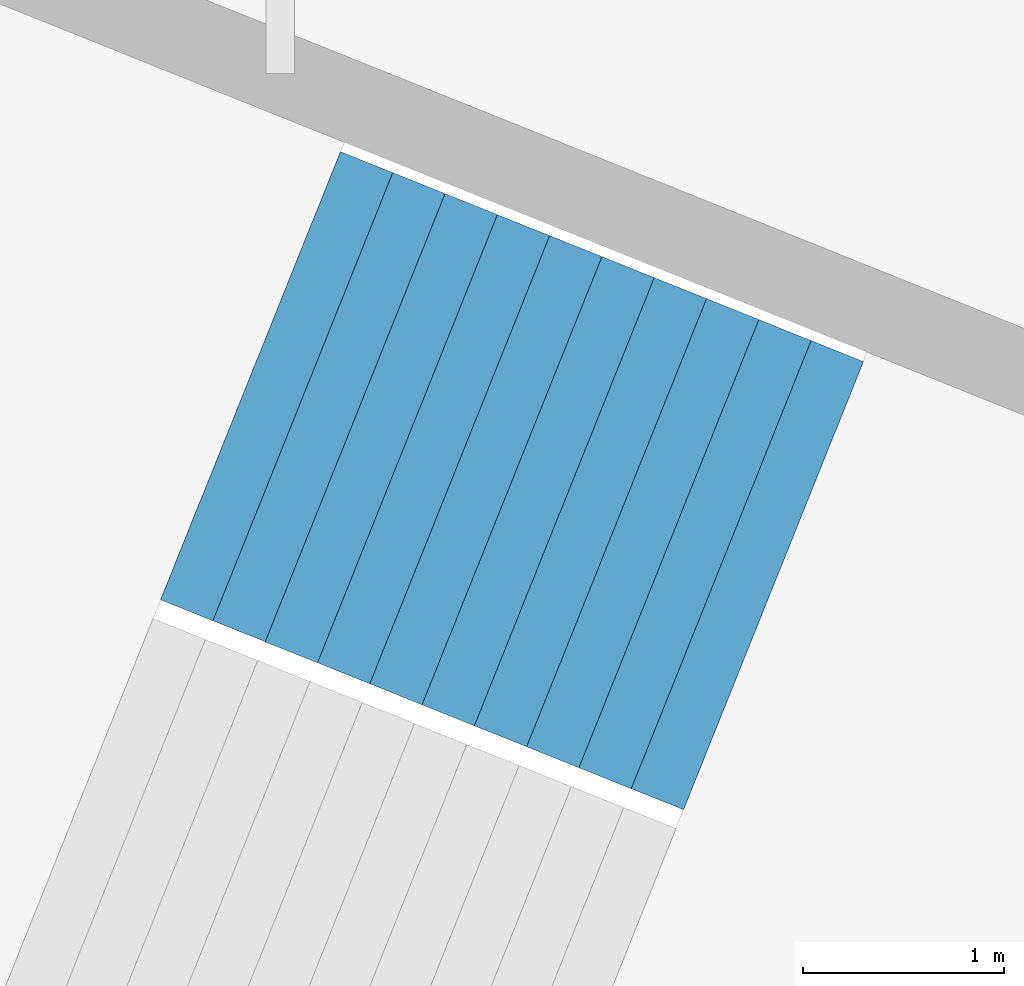
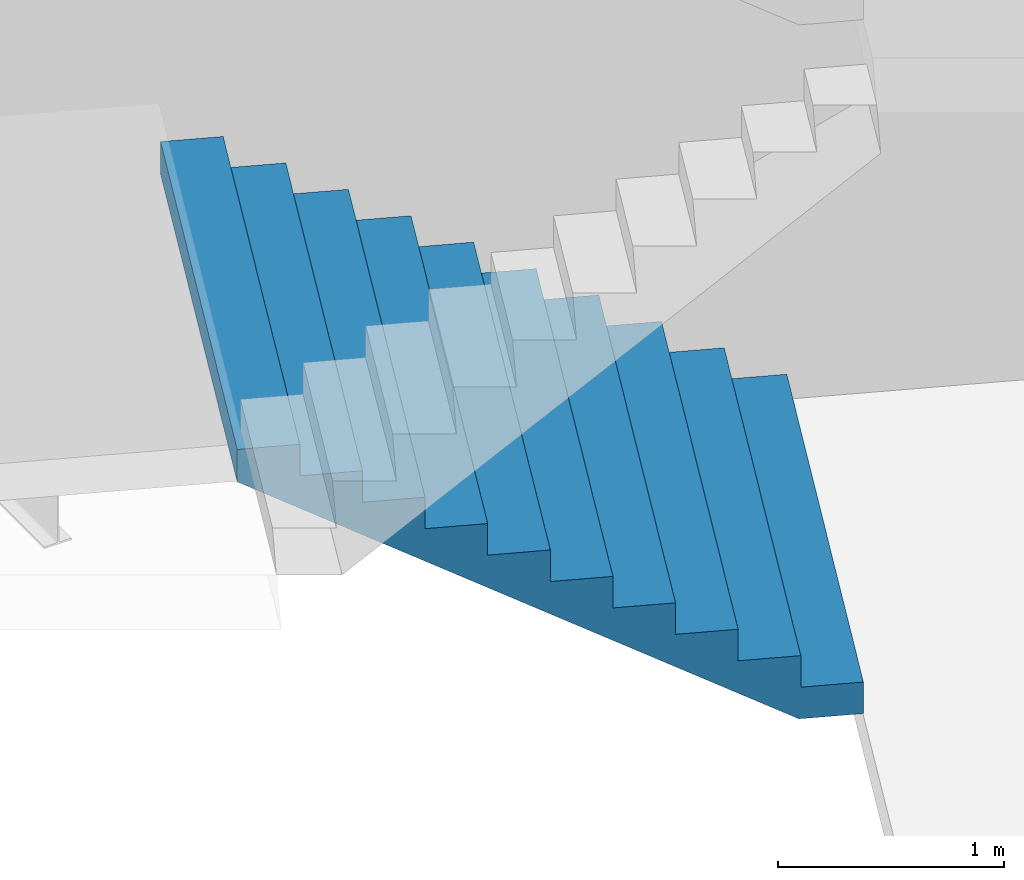
# One storey, part 35 of 73: 1 stair flight, 1 element without a shape of its own.
"""IFC4 building model written with IfcOpenShell, lengths in metres."""

from ifc_helpers import new_model, si_unit, direction, frame, origin, place, context, subcontext, project, spatial, triangles, material, type_object, element, aggregate, save


model = new_model("IFC4")

# Units and contexts
model_context = context("Model", 3, precision=1e-05, world=origin(), true_north=direction((0.0, 1.0)))
body_context = subcontext(model_context, "Body", "Model", "MODEL_VIEW")
ifc_project = project(units=[si_unit("LENGTHUNIT", "METRE"), si_unit("AREAUNIT", "SQUARE_METRE"), si_unit("VOLUMEUNIT", "CUBIC_METRE"), si_unit("PLANEANGLEUNIT", "RADIAN"), si_unit("MASSUNIT", "GRAM", prefix="KILO")], contexts=[model_context])

# Site, building, storey
site_placement = place(None, origin())
site = spatial("IfcSite", under=ifc_project, at=site_placement, CompositionType="ELEMENT")
building_placement = place(site_placement, origin())
building = spatial("IfcBuilding", under=site, at=building_placement, Name="Lantaw Convention Tower", CompositionType="ELEMENT")
storey_placement = place(building_placement, frame((0.0, 0.0, 14.5)))
storey = spatial("IfcBuildingStorey", under=building, at=storey_placement, Name="L02", CompositionType="ELEMENT", Elevation=14.5)

# Stair, stair flight
ifc_material = material(Name="Concrete C35/45", Category="concrete")
stair_type = type_object("IfcStairType", Name="Exit stair 2400 riser 170.45 in 4 flights", PredefinedType="HALF_TURN_STAIR", material=ifc_material)
stair_placement = place(storey_placement, origin())
stair = element("IfcStair", 1, at=stair_placement, inside=storey, type_object=stair_type, Name="Podium exit stair P8 L02", PredefinedType="HALF_TURN_STAIR")
stair_flight_type = type_object("IfcStairFlightType", Name="Stair flight 2400 riser 170.45", PredefinedType="STRAIGHT", material=ifc_material)
stair_flight_placement = place(storey_placement, frame((-35.799560546875, 15.71826171875, 0.0), z_axis=(0.0, 0.0, 1.0), x_axis=(-0.928015168305, 0.372542410198, 0.0)))
stair_flight = element("IfcStairFlight", 2, at=stair_flight_placement, type_object=stair_flight_type, Name="P8 flight 1", NumberOfRisers=11, NumberOfTreads=10, PredefinedType="STRAIGHT", RiserHeight=0.170454545, TreadLength=0.28, context=body_context, shape_type="Tessellation", body=[
    triangles([(0.0, 1.199951171875, 0.0), (0.0, 1.199951171875, 0.170454545), (0.28, 1.199951171875, 0.0), (0.28, 1.199951171875, 0.170454545), (0.28, 1.199951171875, 0.34090909), (0.28827876332691904, 1.199951171875, 0.0), (0.28827876332691904, 1.199951171875, 0.34090909), (0.56, 1.199951171875, 0.16541471344266906), (0.56, 1.199951171875, 0.34090909), (0.56, 1.199951171875, 0.511363635), (0.8400000000000001, 1.199951171875, 0.335869258442669), (0.8400000000000001, 1.199951171875, 0.511363635), (0.8400000000000001, 1.199951171875, 0.68181818), (1.12, 1.199951171875, 0.506323803442669), (1.12, 1.199951171875, 0.68181818), (1.12, 1.199951171875, 0.8522727250000001), (1.4000000000000001, 1.199951171875, 0.676778348442669), (1.4000000000000001, 1.199951171875, 0.8522727250000001), (1.4000000000000001, 1.199951171875, 1.02272727), (1.6800000000000002, 1.199951171875, 0.847232893442669), (1.6800000000000002, 1.199951171875, 1.02272727), (1.6800000000000002, 1.199951171875, 1.193181815), (1.9600000000000002, 1.199951171875, 1.017687438442669), (1.9600000000000002, 1.199951171875, 1.193181815), (1.9600000000000002, 1.199951171875, 1.36363636), (2.24, 1.199951171875, 1.188141983442669), (2.24, 1.199951171875, 1.36363636), (2.24, 1.199951171875, 1.5340909050000002), (2.5200000000000005, 1.199951171875, 1.358596528442669), (2.5200000000000005, 1.199951171875, 1.5340909050000002), (2.5200000000000005, 1.199951171875, 1.7045454500000001), (2.8000000000000003, 1.199951171875, 1.529051073442669), (2.8000000000000003, 1.199951171875, 1.7045454500000001), (0.0, -1.199951171875, 0.0), (0.0, -1.199951171875, 0.170454545), (0.28, -1.199951171875, 0.0), (0.28, -1.199951171875, 0.170454545), (0.28, -1.199951171875, 0.34090909), (0.28827876332691904, -1.199951171875, 0.0), (0.28827876332691904, -1.199951171875, 0.34090909), (0.56, -1.199951171875, 0.16541471344266906), (0.56, -1.199951171875, 0.34090909), (0.56, -1.199951171875, 0.511363635), (0.8400000000000001, -1.199951171875, 0.335869258442669), (0.8400000000000001, -1.199951171875, 0.511363635), (0.8400000000000001, -1.199951171875, 0.68181818), (1.12, -1.199951171875, 0.506323803442669), (1.12, -1.199951171875, 0.68181818), (1.12, -1.199951171875, 0.8522727250000001), (1.4000000000000001, -1.199951171875, 0.676778348442669), (1.4000000000000001, -1.199951171875, 0.8522727250000001), (1.4000000000000001, -1.199951171875, 1.02272727), (1.6800000000000002, -1.199951171875, 0.847232893442669), (1.6800000000000002, -1.199951171875, 1.02272727), (1.6800000000000002, -1.199951171875, 1.193181815), (1.9600000000000002, -1.199951171875, 1.017687438442669), (1.9600000000000002, -1.199951171875, 1.193181815), (1.9600000000000002, -1.199951171875, 1.36363636), (2.24, -1.199951171875, 1.188141983442669), (2.24, -1.199951171875, 1.36363636), (2.24, -1.199951171875, 1.5340909050000002), (2.5200000000000005, -1.199951171875, 1.358596528442669), (2.5200000000000005, -1.199951171875, 1.5340909050000002), (2.5200000000000005, -1.199951171875, 1.7045454500000001), (2.8000000000000003, -1.199951171875, 1.529051073442669), (2.8000000000000003, -1.199951171875, 1.7045454500000001), (0.0, 0.239990234375, 0.170454545), (0.0, 0.239990234375, 0.0), (0.0, 0.1199951171875, 0.170454545), (0.0, 0.1199951171875, 0.0), (0.0, 0.0, 0.170454545), (0.0, 0.0, 0.0), (0.0, -0.1199951171875, 0.170454545), (0.0, -0.1199951171875, 0.0), (0.0, -0.239990234375, 0.170454545), (0.0, -0.239990234375, 0.0), (0.28, 0.239990234375, 0.34090909), (0.28, 0.239990234375, 0.170454545), (0.28, 0.1199951171875, 0.34090909), (0.28, 0.1199951171875, 0.170454545), (0.28, 0.0, 0.34090909), (0.28, 0.0, 0.170454545), (0.28, -0.1199951171875, 0.34090909), (0.28, -0.1199951171875, 0.170454545), (0.28, -0.239990234375, 0.34090909), (0.28, -0.239990234375, 0.170454545), (0.56, 0.239990234375, 0.511363635), (0.56, 0.239990234375, 0.34090909), (0.56, 0.1199951171875, 0.511363635), (0.56, 0.1199951171875, 0.34090909), (0.56, 0.0, 0.511363635), (0.56, 0.0, 0.34090909), (0.56, -0.1199951171875, 0.511363635), (0.56, -0.1199951171875, 0.34090909), (0.56, -0.239990234375, 0.511363635), (0.56, -0.239990234375, 0.34090909), (0.8400000000000001, 0.239990234375, 0.68181818), (0.8400000000000001, 0.239990234375, 0.511363635), (0.8400000000000001, 0.1199951171875, 0.68181818), (0.8400000000000001, 0.1199951171875, 0.511363635), (0.8400000000000001, 0.0, 0.68181818), (0.8400000000000001, 0.0, 0.511363635), (0.8400000000000001, -0.1199951171875, 0.68181818), (0.8400000000000001, -0.1199951171875, 0.511363635), (0.8400000000000001, -0.239990234375, 0.68181818), (0.8400000000000001, -0.239990234375, 0.511363635), (1.12, 0.239990234375, 0.8522727250000001), (1.12, 0.239990234375, 0.68181818), (1.12, 0.1199951171875, 0.8522727250000001), (1.12, 0.1199951171875, 0.68181818), (1.12, 0.0, 0.8522727250000001), (1.12, 0.0, 0.68181818), (1.12, -0.1199951171875, 0.8522727250000001), (1.12, -0.1199951171875, 0.68181818), (1.12, -0.239990234375, 0.8522727250000001), (1.12, -0.239990234375, 0.68181818), (1.4000000000000001, 0.239990234375, 1.02272727), (1.4000000000000001, 0.239990234375, 0.8522727250000001), (1.4000000000000001, 0.1199951171875, 1.02272727), (1.4000000000000001, 0.1199951171875, 0.8522727250000001), (1.4000000000000001, 0.0, 1.02272727), (1.4000000000000001, 0.0, 0.8522727250000001), (1.4000000000000001, -0.1199951171875, 1.02272727), (1.4000000000000001, -0.1199951171875, 0.8522727250000001), (1.4000000000000001, -0.239990234375, 1.02272727), (1.4000000000000001, -0.239990234375, 0.8522727250000001), (1.6800000000000002, 0.239990234375, 1.193181815), (1.6800000000000002, 0.239990234375, 1.02272727), (1.6800000000000002, 0.1199951171875, 1.193181815), (1.6800000000000002, 0.1199951171875, 1.02272727), (1.6800000000000002, 0.0, 1.193181815), (1.6800000000000002, 0.0, 1.02272727), (1.6800000000000002, -0.1199951171875, 1.193181815), (1.6800000000000002, -0.1199951171875, 1.02272727), (1.6800000000000002, -0.239990234375, 1.193181815), (1.6800000000000002, -0.239990234375, 1.02272727), (1.9600000000000002, 0.239990234375, 1.36363636), (1.9600000000000002, 0.239990234375, 1.193181815), (1.9600000000000002, 0.1199951171875, 1.36363636), (1.9600000000000002, 0.1199951171875, 1.193181815), (1.9600000000000002, 0.0, 1.36363636), (1.9600000000000002, 0.0, 1.193181815), (1.9600000000000002, -0.1199951171875, 1.36363636), (1.9600000000000002, -0.1199951171875, 1.193181815), (1.9600000000000002, -0.239990234375, 1.36363636), (1.9600000000000002, -0.239990234375, 1.193181815), (2.24, 0.239990234375, 1.5340909050000002), (2.24, 0.239990234375, 1.36363636), (2.24, 0.1199951171875, 1.5340909050000002), (2.24, 0.1199951171875, 1.36363636), (2.24, 0.0, 1.5340909050000002), (2.24, 0.0, 1.36363636), (2.24, -0.1199951171875, 1.5340909050000002), (2.24, -0.1199951171875, 1.36363636), (2.24, -0.239990234375, 1.5340909050000002), (2.24, -0.239990234375, 1.36363636), (2.5200000000000005, 0.239990234375, 1.7045454500000001), (2.5200000000000005, 0.239990234375, 1.5340909050000002), (2.5200000000000005, 0.1199951171875, 1.7045454500000001), (2.5200000000000005, 0.1199951171875, 1.5340909050000002), (2.5200000000000005, 0.0, 1.7045454500000001), (2.5200000000000005, 0.0, 1.5340909050000002), (2.5200000000000005, -0.1199951171875, 1.7045454500000001), (2.5200000000000005, -0.1199951171875, 1.5340909050000002), (2.5200000000000005, -0.239990234375, 1.7045454500000001), (2.5200000000000005, -0.239990234375, 1.5340909050000002), (0.28827876332691904, 0.239990234375, 0.34090909), (0.28827876332691904, 0.1199951171875, 0.34090909), (0.28827876332691904, 0.0, 0.34090909), (0.28827876332691904, -0.1199951171875, 0.34090909), (0.28827876332691904, -0.239990234375, 0.34090909), (2.8000000000000003, 0.239990234375, 1.7045454500000001), (2.8000000000000003, 0.1199951171875, 1.7045454500000001), (2.8000000000000003, 0.0, 1.7045454500000001), (2.8000000000000003, -0.1199951171875, 1.7045454500000001), (2.8000000000000003, -0.239990234375, 1.7045454500000001), (2.8000000000000003, 0.239990234375, 1.5290510734426692), (2.8000000000000003, 0.1199951171875, 1.5290510734426692), (2.8000000000000003, 0.0, 1.5290510734426692), (2.8000000000000003, -0.1199951171875, 1.5290510734426692), (2.8000000000000003, -0.239990234375, 1.5290510734426692), (2.5200000000000005, 0.239990234375, 1.358596528442669), (2.5200000000000005, 0.1199951171875, 1.358596528442669), (2.5200000000000005, 0.0, 1.358596528442669), (2.5200000000000005, -0.1199951171875, 1.358596528442669), (2.5200000000000005, -0.239990234375, 1.358596528442669), (2.24, 0.239990234375, 1.188141983442669), (2.24, 0.1199951171875, 1.188141983442669), (2.24, 0.0, 1.188141983442669), (2.24, -0.1199951171875, 1.188141983442669), (2.24, -0.239990234375, 1.188141983442669), (1.9600000000000002, 0.239990234375, 1.017687438442669), (1.9600000000000002, 0.1199951171875, 1.017687438442669), (1.9600000000000002, 0.0, 1.017687438442669), (1.9600000000000002, -0.1199951171875, 1.017687438442669), (1.9600000000000002, -0.239990234375, 1.017687438442669), (1.6800000000000002, 0.239990234375, 0.847232893442669), (1.6800000000000002, 0.1199951171875, 0.847232893442669), (1.6800000000000002, 0.0, 0.847232893442669), (1.6800000000000002, -0.1199951171875, 0.847232893442669), (1.6800000000000002, -0.239990234375, 0.847232893442669), (1.4000000000000001, 0.239990234375, 0.676778348442669), (1.4000000000000001, 0.1199951171875, 0.676778348442669), (1.4000000000000001, 0.0, 0.676778348442669), (1.4000000000000001, -0.1199951171875, 0.676778348442669), (1.4000000000000001, -0.239990234375, 0.676778348442669), (1.12, 0.239990234375, 0.506323803442669), (1.12, 0.1199951171875, 0.506323803442669), (1.12, 0.0, 0.506323803442669), (1.12, -0.1199951171875, 0.506323803442669), (1.12, -0.239990234375, 0.506323803442669), (0.8400000000000001, 0.239990234375, 0.335869258442669), (0.8400000000000001, 0.1199951171875, 0.335869258442669), (0.8400000000000001, 0.0, 0.335869258442669), (0.8400000000000001, -0.1199951171875, 0.335869258442669), (0.8400000000000001, -0.239990234375, 0.335869258442669), (0.56, 0.239990234375, 0.16541471344266906), (0.56, 0.1199951171875, 0.16541471344266906), (0.56, 0.0, 0.16541471344266906), (0.56, -0.1199951171875, 0.16541471344266906), (0.56, -0.239990234375, 0.16541471344266906), (0.28827876332691904, 0.239990234375, 0.0), (0.28827876332691904, 0.1199951171875, 0.0), (0.28827876332691904, 0.0, 0.0), (0.28827876332691904, -0.1199951171875, 0.0), (0.28827876332691904, -0.239990234375, 0.0), (0.28, 0.239990234375, 0.0), (0.28, 0.1199951171875, 0.0), (0.28, 0.0, 0.0), (0.28, -0.1199951171875, 0.0), (0.28, -0.239990234375, 0.0)], [[1, 4, 3], [1, 2, 4], [3, 4, 6], [4, 7, 6], [4, 5, 7], [6, 9, 8], [6, 7, 9], [8, 9, 11], [9, 12, 11], [9, 10, 12], [11, 12, 14], [12, 15, 14], [12, 13, 15], [14, 15, 17], [15, 18, 17], [15, 16, 18], [17, 18, 20], [18, 21, 20], [18, 19, 21], [20, 21, 23], [21, 24, 23], [21, 22, 24], [23, 24, 26], [24, 27, 26], [24, 25, 27], [26, 27, 29], [27, 30, 29], [27, 28, 30], [29, 30, 32], [30, 33, 32], [30, 31, 33], [34, 36, 37], [34, 37, 35], [36, 39, 37], [37, 39, 40], [37, 40, 38], [39, 41, 42], [39, 42, 40], [41, 44, 42], [42, 44, 45], [42, 45, 43], [44, 47, 45], [45, 47, 48], [45, 48, 46], [47, 50, 48], [48, 50, 51], [48, 51, 49], [50, 53, 51], [51, 53, 54], [51, 54, 52], [53, 56, 54], [54, 56, 57], [54, 57, 55], [56, 59, 57], [57, 59, 60], [57, 60, 58], [59, 62, 60], [60, 62, 63], [60, 63, 61], [62, 65, 63], [63, 65, 66], [63, 66, 64], [1, 67, 2], [1, 68, 67], [68, 69, 67], [68, 70, 69], [70, 71, 69], [70, 72, 71], [72, 73, 71], [72, 74, 73], [74, 75, 73], [74, 76, 75], [76, 35, 75], [76, 34, 35], [4, 77, 5], [4, 78, 77], [78, 79, 77], [78, 80, 79], [80, 81, 79], [80, 82, 81], [82, 83, 81], [82, 84, 83], [84, 85, 83], [84, 86, 85], [86, 38, 85], [86, 37, 38], [9, 87, 10], [9, 88, 87], [88, 89, 87], [88, 90, 89], [90, 91, 89], [90, 92, 91], [92, 93, 91], [92, 94, 93], [94, 95, 93], [94, 96, 95], [96, 43, 95], [96, 42, 43], [12, 97, 13], [12, 98, 97], [98, 99, 97], [98, 100, 99], [100, 101, 99], [100, 102, 101], [102, 103, 101], [102, 104, 103], [104, 105, 103], [104, 106, 105], [106, 46, 105], [106, 45, 46], [15, 107, 16], [15, 108, 107], [108, 109, 107], [108, 110, 109], [110, 111, 109], [110, 112, 111], [112, 113, 111], [112, 114, 113], [114, 115, 113], [114, 116, 115], [116, 49, 115], [116, 48, 49], [18, 117, 19], [18, 118, 117], [118, 119, 117], [118, 120, 119], [120, 121, 119], [120, 122, 121], [122, 123, 121], [122, 124, 123], [124, 125, 123], [124, 126, 125], [126, 52, 125], [126, 51, 52], [21, 127, 22], [21, 128, 127], [128, 129, 127], [128, 130, 129], [130, 131, 129], [130, 132, 131], [132, 133, 131], [132, 134, 133], [134, 135, 133], [134, 136, 135], [136, 55, 135], [136, 54, 55], [24, 137, 25], [24, 138, 137], [138, 139, 137], [138, 140, 139], [140, 141, 139], [140, 142, 141], [142, 143, 141], [142, 144, 143], [144, 145, 143], [144, 146, 145], [146, 58, 145], [146, 57, 58], [27, 147, 28], [27, 148, 147], [148, 149, 147], [148, 150, 149], [150, 151, 149], [150, 152, 151], [152, 153, 151], [152, 154, 153], [154, 155, 153], [154, 156, 155], [156, 61, 155], [156, 60, 61], [30, 157, 31], [30, 158, 157], [158, 159, 157], [158, 160, 159], [160, 161, 159], [160, 162, 161], [162, 163, 161], [162, 164, 163], [164, 165, 163], [164, 166, 165], [166, 64, 165], [166, 63, 64], [2, 78, 4], [2, 67, 78], [67, 80, 78], [67, 69, 80], [69, 82, 80], [69, 71, 82], [71, 84, 82], [71, 73, 84], [73, 86, 84], [73, 75, 86], [75, 37, 86], [75, 35, 37], [5, 167, 7], [5, 77, 167], [77, 168, 167], [77, 79, 168], [79, 169, 168], [79, 81, 169], [81, 170, 169], [81, 83, 170], [83, 171, 170], [83, 85, 171], [85, 40, 171], [85, 38, 40], [7, 88, 9], [7, 167, 88], [167, 90, 88], [167, 168, 90], [168, 92, 90], [168, 169, 92], [169, 94, 92], [169, 170, 94], [170, 96, 94], [170, 171, 96], [171, 42, 96], [171, 40, 42], [10, 98, 12], [10, 87, 98], [87, 100, 98], [87, 89, 100], [89, 102, 100], [89, 91, 102], [91, 104, 102], [91, 93, 104], [93, 106, 104], [93, 95, 106], [95, 45, 106], [95, 43, 45], [13, 108, 15], [13, 97, 108], [97, 110, 108], [97, 99, 110], [99, 112, 110], [99, 101, 112], [101, 114, 112], [101, 103, 114], [103, 116, 114], [103, 105, 116], [105, 48, 116], [105, 46, 48], [16, 118, 18], [16, 107, 118], [107, 120, 118], [107, 109, 120], [109, 122, 120], [109, 111, 122], [111, 124, 122], [111, 113, 124], [113, 126, 124], [113, 115, 126], [115, 51, 126], [115, 49, 51], [19, 128, 21], [19, 117, 128], [117, 130, 128], [117, 119, 130], [119, 132, 130], [119, 121, 132], [121, 134, 132], [121, 123, 134], [123, 136, 134], [123, 125, 136], [125, 54, 136], [125, 52, 54], [22, 138, 24], [22, 127, 138], [127, 140, 138], [127, 129, 140], [129, 142, 140], [129, 131, 142], [131, 144, 142], [131, 133, 144], [133, 146, 144], [133, 135, 146], [135, 57, 146], [135, 55, 57], [25, 148, 27], [25, 137, 148], [137, 150, 148], [137, 139, 150], [139, 152, 150], [139, 141, 152], [141, 154, 152], [141, 143, 154], [143, 156, 154], [143, 145, 156], [145, 60, 156], [145, 58, 60], [28, 158, 30], [28, 147, 158], [147, 160, 158], [147, 149, 160], [149, 162, 160], [149, 151, 162], [151, 164, 162], [151, 153, 164], [153, 166, 164], [153, 155, 166], [155, 63, 166], [155, 61, 63], [31, 172, 33], [31, 157, 172], [157, 173, 172], [157, 159, 173], [159, 174, 173], [159, 161, 174], [161, 175, 174], [161, 163, 175], [163, 176, 175], [163, 165, 176], [165, 66, 176], [165, 64, 66], [33, 177, 32], [33, 172, 177], [172, 178, 177], [172, 173, 178], [173, 179, 178], [173, 174, 179], [174, 180, 179], [174, 175, 180], [175, 181, 180], [175, 176, 181], [176, 65, 181], [176, 66, 65], [32, 182, 29], [32, 177, 182], [177, 183, 182], [177, 178, 183], [178, 184, 183], [178, 179, 184], [179, 185, 184], [179, 180, 185], [180, 186, 185], [180, 181, 186], [181, 62, 186], [181, 65, 62], [29, 187, 26], [29, 182, 187], [182, 188, 187], [182, 183, 188], [183, 189, 188], [183, 184, 189], [184, 190, 189], [184, 185, 190], [185, 191, 190], [185, 186, 191], [186, 59, 191], [186, 62, 59], [26, 192, 23], [26, 187, 192], [187, 193, 192], [187, 188, 193], [188, 194, 193], [188, 189, 194], [189, 195, 194], [189, 190, 195], [190, 196, 195], [190, 191, 196], [191, 56, 196], [191, 59, 56], [23, 197, 20], [23, 192, 197], [192, 198, 197], [192, 193, 198], [193, 199, 198], [193, 194, 199], [194, 200, 199], [194, 195, 200], [195, 201, 200], [195, 196, 201], [196, 53, 201], [196, 56, 53], [20, 202, 17], [20, 197, 202], [197, 203, 202], [197, 198, 203], [198, 204, 203], [198, 199, 204], [199, 205, 204], [199, 200, 205], [200, 206, 205], [200, 201, 206], [201, 50, 206], [201, 53, 50], [17, 207, 14], [17, 202, 207], [202, 208, 207], [202, 203, 208], [203, 209, 208], [203, 204, 209], [204, 210, 209], [204, 205, 210], [205, 211, 210], [205, 206, 211], [206, 47, 211], [206, 50, 47], [14, 212, 11], [14, 207, 212], [207, 213, 212], [207, 208, 213], [208, 214, 213], [208, 209, 214], [209, 215, 214], [209, 210, 215], [210, 216, 215], [210, 211, 216], [211, 44, 216], [211, 47, 44], [11, 217, 8], [11, 212, 217], [212, 218, 217], [212, 213, 218], [213, 219, 218], [213, 214, 219], [214, 220, 219], [214, 215, 220], [215, 221, 220], [215, 216, 221], [216, 41, 221], [216, 44, 41], [8, 222, 6], [8, 217, 222], [217, 223, 222], [217, 218, 223], [218, 224, 223], [218, 219, 224], [219, 225, 224], [219, 220, 225], [220, 226, 225], [220, 221, 226], [221, 39, 226], [221, 41, 39], [6, 227, 3], [6, 222, 227], [222, 228, 227], [222, 223, 228], [223, 229, 228], [223, 224, 229], [224, 230, 229], [224, 225, 230], [225, 231, 230], [225, 226, 231], [226, 36, 231], [226, 39, 36], [3, 68, 1], [3, 227, 68], [227, 70, 68], [227, 228, 70], [228, 72, 70], [228, 229, 72], [229, 74, 72], [229, 230, 74], [230, 76, 74], [230, 231, 76], [231, 34, 76], [231, 36, 34]], closed=True),
])
aggregate(stair, [stair_flight])

save(model, "model.ifc")
